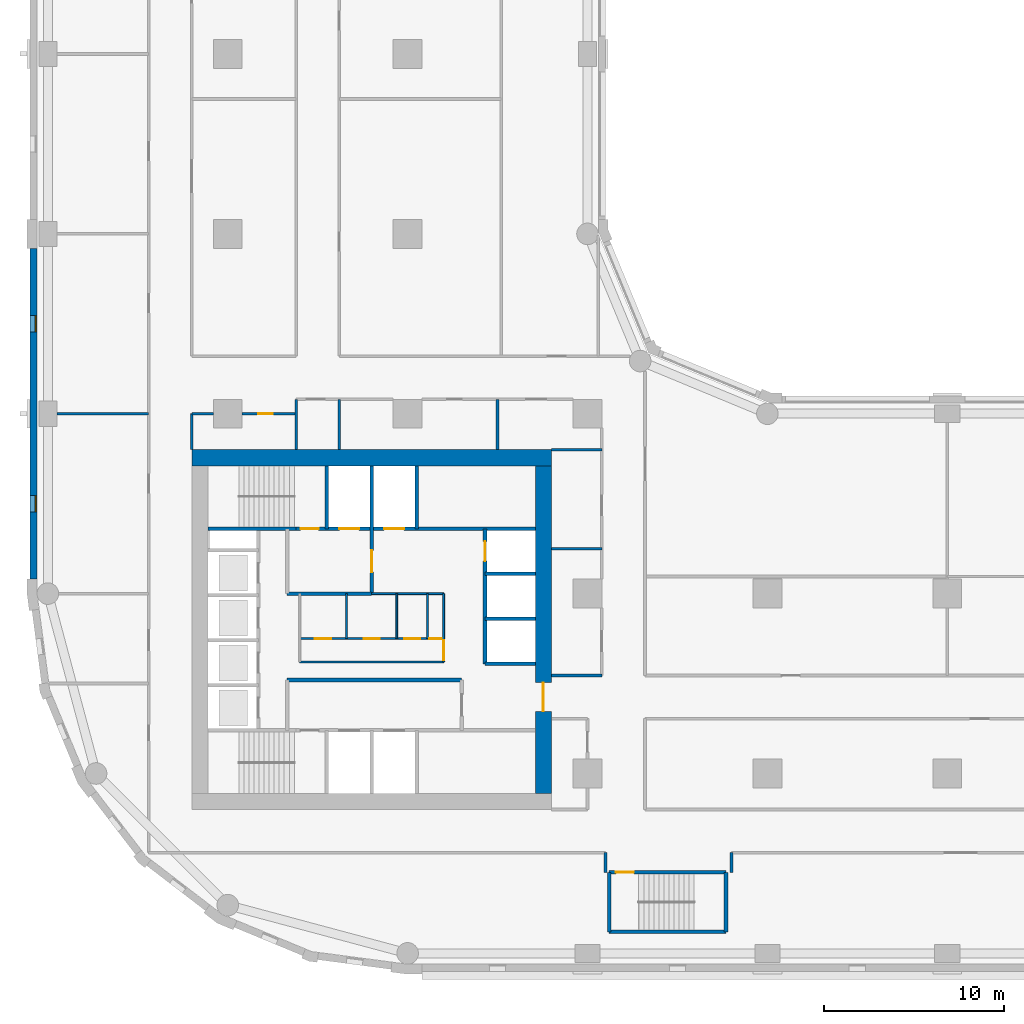
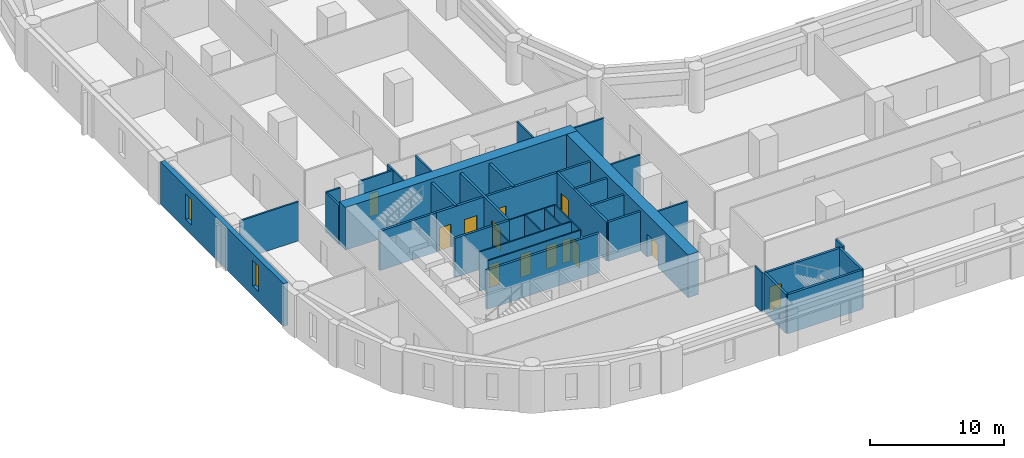
# One storey, part 3 of 10: 37 walls, 13 doors, 2 windows, 15 openings.
"""IFC4 building model written with IfcOpenShell, lengths in metres."""

from ifc_helpers import new_model, si_unit, direction, frame, frame_2d, origin, place, context, subcontext, project, spatial, rectangle, extrude, material, layer, layer_set, type_object, element, fill, save


model = new_model("IFC4")

# Units and contexts
model_context = context("Model", 3, precision=1e-05, world=origin(), true_north=direction((0.0, 1.0)))
body_context = subcontext(model_context, "Body", "Model", "MODEL_VIEW")
ifc_project = project(units=[si_unit("LENGTHUNIT", "METRE"), si_unit("AREAUNIT", "SQUARE_METRE"), si_unit("VOLUMEUNIT", "CUBIC_METRE"), si_unit("PLANEANGLEUNIT", "RADIAN"), si_unit("MASSUNIT", "GRAM", prefix="KILO")], contexts=[model_context])

# Site, building, storey
site_placement = place(None, origin())
site = spatial("IfcSite", under=ifc_project, at=site_placement, CompositionType="ELEMENT")
building_placement = place(site_placement, origin())
building = spatial("IfcBuilding", under=site, at=building_placement, Name="Qaws Garden Tower", CompositionType="ELEMENT")
storey_placement = place(building_placement, frame((0.0, 0.0, 19.800048828125)))
storey = spatial("IfcBuildingStorey", under=building, at=storey_placement, Name="L04", CompositionType="ELEMENT", Elevation=19.800048828125)

# Wall, openings, windows
ifc_material_1 = material(Name="Clay facing brick masonry", Category="masonry")
ifc_layer_1 = layer(ifc_material_1, 0.39990234375)
ifc_layer_set_1 = layer_set([ifc_layer_1], Name="Clay facing brick masonry")
wall_type_1 = type_object("IfcWallType", Name="Brick infill wall 400", PredefinedType="SOLIDWALL", material=ifc_layer_set_1)
wall_1_placement = place(storey_placement, frame((-0.800048828125, 39.199951171875, 0.0), z_axis=(0.0, 0.0, 1.0), x_axis=(0.0, -1.0, 0.0)))
wall_1 = element("IfcWall", 1, at=wall_1_placement, inside=storey, type_object=wall_type_1, Name="E-L04-infill-25", PredefinedType="SOLIDWALL", context=body_context, shape_type="SweptSolid", body=[
    extrude(rectangle(XDim=18.39990234375, YDim=0.39990234375, at=frame_2d((9.199951171875, 0.0))), origin(), (0.0, 0.0, 1.0), 3.89990234375),
])
opening_1_placement = place(wall_1_placement, frame((3.75, 0.0, 0.89990234375)))
opening_1 = element("IfcOpeningElement", 2, at=opening_1_placement, cuts=wall_1, Name="Opening W09", PredefinedType="OPENING", context=body_context, shape_type="SweptSolid", body=[
    extrude(rectangle(XDim=0.89990234375, YDim=2.35009765625, at=frame_2d((0.449951171875, 1.175048828125))), frame((0.0, 0.2099609375, 0.0), z_axis=(0.0, -1.0, 0.0), x_axis=(1.0, 0.0, 0.0)), (0.0, 0.0, 1.0), 0.419921875),
])
opening_2_placement = place(wall_1_placement, frame((13.75, 0.0, 0.89990234375)))
opening_2 = element("IfcOpeningElement", 3, at=opening_2_placement, cuts=wall_1, Name="Opening W09", PredefinedType="OPENING", context=body_context, shape_type="SweptSolid", body=[
    extrude(rectangle(XDim=0.89990234375, YDim=2.35009765625, at=frame_2d((0.449951171875, 1.175048828125))), frame((0.0, 0.2099609375, 0.0), z_axis=(0.0, -1.0, 0.0), x_axis=(1.0, 0.0, 0.0)), (0.0, 0.0, 1.0), 0.419921875),
])
ifc_material_2 = material(Name="Aluminium framed window, clear glazing", Category="aluminium")
window_type = type_object("IfcWindowType", Name="Slit window 900 x 2350", PartitioningType="SINGLE_PANEL", PredefinedType="WINDOW", material=ifc_material_2)
window_1_placement = place(opening_1_placement, origin())
window_1 = element("IfcWindow", 4, at=window_1_placement, inside=storey, type_object=window_type, Name="E-L04-window-25-0", OverallHeight=2.35009765625, OverallWidth=0.89990234375, PartitioningType="SINGLE_PANEL", PredefinedType="WINDOW", context=body_context, shape_type="SweptSolid", body=[
    extrude(rectangle(XDim=0.89990234375, YDim=2.35009765625, at=frame_2d((0.449951171875, 1.175048828125))), frame((0.0, 0.159912109375, 0.0), z_axis=(0.0, -1.0, 0.0), x_axis=(1.0, 0.0, 0.0)), (0.0, 0.0, 1.0), 0.06005859375),
])
fill(opening_1, window_1)
window_2_placement = place(opening_2_placement, origin())
window_2 = element("IfcWindow", 5, at=window_2_placement, inside=storey, type_object=window_type, Name="E-L04-window-26-0", OverallHeight=2.35009765625, OverallWidth=0.89990234375, PartitioningType="SINGLE_PANEL", PredefinedType="WINDOW", context=body_context, shape_type="SweptSolid", body=[
    extrude(rectangle(XDim=0.89990234375, YDim=2.35009765625, at=frame_2d((0.449951171875, 1.175048828125))), frame((0.0, 0.159912109375, 0.0), z_axis=(0.0, -1.0, 0.0), x_axis=(1.0, 0.0, 0.0)), (0.0, 0.0, 1.0), 0.06005859375),
])
fill(opening_2, window_2)

# Wall
ifc_material_3 = material(Name="Plasterboard")
ifc_layer_2 = layer(ifc_material_3, 0.10009765625)
ifc_layer_set_2 = layer_set([ifc_layer_2], Name="Plasterboard")
wall_type_2 = type_object("IfcWallType", Name="Core partition 100", PredefinedType="PARTITIONING", material=ifc_layer_set_2)
wall_2_placement = place(storey_placement, frame((14.0, 16.199951171875, 0.0), z_axis=(0.0, 0.0, 1.0), x_axis=(1.0, 0.0, 0.0)))
element("IfcWall", 6, at=wall_2_placement, inside=storey, type_object=wall_type_2, Name="Core partition", PredefinedType="PARTITIONING", context=body_context, shape_type="SweptSolid", body=[
    extrude(rectangle(XDim=8.0, YDim=0.10009765625, at=frame_2d((4.0, 0.0))), origin(), (0.0, 0.0, 1.0), 3.579833984375),
])

# Wall, openings, doors
wall_3_placement = place(storey_placement, frame((14.0, 17.5, 0.0), z_axis=(0.0, 0.0, 1.0), x_axis=(1.0, 0.0, 0.0)))
wall_3 = element("IfcWall", 7, at=wall_3_placement, inside=storey, type_object=wall_type_2, Name="Core partition", PredefinedType="PARTITIONING", context=body_context, shape_type="SweptSolid", body=[
    extrude(rectangle(XDim=8.0, YDim=0.10009765625, at=frame_2d((4.0, 0.0))), origin(), (0.0, 0.0, 1.0), 3.579833984375),
])
opening_3_placement = place(wall_3_placement, frame((0.85009765625, 0.0, 0.0)))
opening_3 = element("IfcOpeningElement", 8, at=opening_3_placement, cuts=wall_3, Name="Opening WD18", PredefinedType="OPENING", context=body_context, shape_type="SweptSolid", body=[
    extrude(rectangle(XDim=0.89990234375, YDim=2.10009765625, at=frame_2d((0.449951171875, 1.050048828125))), frame((0.0, 0.06005859375, 0.0), z_axis=(0.0, -1.0, 0.0), x_axis=(1.0, 0.0, 0.0)), (0.0, 0.0, 1.0), 0.1201171875),
])
opening_4_placement = place(wall_3_placement, frame((3.550048828125, 0.0, 0.0)))
opening_4 = element("IfcOpeningElement", 9, at=opening_4_placement, cuts=wall_3, Name="Opening WD19", PredefinedType="OPENING", context=body_context, shape_type="SweptSolid", body=[
    extrude(rectangle(XDim=0.89990234375, YDim=2.10009765625, at=frame_2d((0.449951171875, 1.050048828125))), frame((0.0, 0.06005859375, 0.0), z_axis=(0.0, -1.0, 0.0), x_axis=(1.0, 0.0, 0.0)), (0.0, 0.0, 1.0), 0.1201171875),
])
opening_5_placement = place(wall_3_placement, frame((5.800048828125, 0.0, 0.0)))
opening_5 = element("IfcOpeningElement", 10, at=opening_5_placement, cuts=wall_3, Name="Opening WD20", PredefinedType="OPENING", context=body_context, shape_type="SweptSolid", body=[
    extrude(rectangle(XDim=0.89990234375, YDim=2.10009765625, at=frame_2d((0.449951171875, 1.050048828125))), frame((0.0, 0.06005859375, 0.0), z_axis=(0.0, -1.0, 0.0), x_axis=(1.0, 0.0, 0.0)), (0.0, 0.0, 1.0), 0.1201171875),
])
opening_6_placement = place(wall_3_placement, frame((7.199951171875, 0.0, 0.0)))
opening_6 = element("IfcOpeningElement", 11, at=opening_6_placement, cuts=wall_3, Name="Opening XD21", PredefinedType="OPENING", context=body_context, shape_type="SweptSolid", body=[
    extrude(rectangle(XDim=0.699951171875, YDim=2.10009765625, at=frame_2d((0.35009765625, 1.050048828125))), frame((0.0, 0.06005859375, 0.0), z_axis=(0.0, -1.0, 0.0), x_axis=(1.0, 0.0, 0.0)), (0.0, 0.0, 1.0), 0.1201171875),
])
ifc_material_4 = material(Name="Timber", Category="wood")
door_type_1 = type_object("IfcDoorType", Name="Store door 700x2100", OperationType="SINGLE_SWING_LEFT", PredefinedType="DOOR", material=ifc_material_4)
door_1_placement = place(opening_6_placement, origin())
door_1 = element("IfcDoor", 12, at=door_1_placement, inside=storey, type_object=door_type_1, Name="Cleaner's store door", OperationType="SINGLE_SWING_RIGHT", OverallHeight=2.10009765625, OverallWidth=0.699951171875, PredefinedType="DOOR", context=body_context, shape_type="SweptSolid", body=[
    extrude(rectangle(XDim=0.699951171875, YDim=2.10009765625, at=frame_2d((0.35009765625, 1.050048828125))), frame((0.0, 0.02490234375, 0.0), z_axis=(0.0, -1.0, 0.0), x_axis=(1.0, 0.0, 0.0)), (0.0, 0.0, 1.0), 0.050048828125),
])
fill(opening_6, door_1)
ifc_material_5 = material(Name="Timber", Category="wood")
door_type_2 = type_object("IfcDoorType", Name="WC door 900x2100", OperationType="SINGLE_SWING_LEFT", PredefinedType="DOOR", material=ifc_material_5)
door_2_placement = place(opening_3_placement, origin())
door_2 = element("IfcDoor", 13, at=door_2_placement, inside=storey, type_object=door_type_2, Name="Men's WC door", OperationType="SINGLE_SWING_RIGHT", OverallHeight=2.10009765625, OverallWidth=0.89990234375, PredefinedType="DOOR", context=body_context, shape_type="SweptSolid", body=[
    extrude(rectangle(XDim=0.89990234375, YDim=2.10009765625, at=frame_2d((0.449951171875, 1.050048828125))), frame((0.0, 0.02490234375, 0.0), z_axis=(0.0, -1.0, 0.0), x_axis=(1.0, 0.0, 0.0)), (0.0, 0.0, 1.0), 0.050048828125),
])
fill(opening_3, door_2)
door_3_placement = place(opening_4_placement, origin())
door_3 = element("IfcDoor", 14, at=door_3_placement, inside=storey, type_object=door_type_2, Name="Women's WC door", OperationType="SINGLE_SWING_RIGHT", OverallHeight=2.10009765625, OverallWidth=0.89990234375, PredefinedType="DOOR", context=body_context, shape_type="SweptSolid", body=[
    extrude(rectangle(XDim=0.89990234375, YDim=2.10009765625, at=frame_2d((0.449951171875, 1.050048828125))), frame((0.0, 0.02490234375, 0.0), z_axis=(0.0, -1.0, 0.0), x_axis=(1.0, 0.0, 0.0)), (0.0, 0.0, 1.0), 0.050048828125),
])
fill(opening_4, door_3)
door_4_placement = place(opening_5_placement, origin())
door_4 = element("IfcDoor", 15, at=door_4_placement, inside=storey, type_object=door_type_2, Name="Accessible WC door", OperationType="SINGLE_SWING_RIGHT", OverallHeight=2.10009765625, OverallWidth=0.89990234375, PredefinedType="DOOR", context=body_context, shape_type="SweptSolid", body=[
    extrude(rectangle(XDim=0.89990234375, YDim=2.10009765625, at=frame_2d((0.449951171875, 1.050048828125))), frame((0.0, 0.02490234375, 0.0), z_axis=(0.0, -1.0, 0.0), x_axis=(1.0, 0.0, 0.0)), (0.0, 0.0, 1.0), 0.050048828125),
])
fill(opening_5, door_4)

# Walls
wall_4_placement = place(storey_placement, frame((18.0, 20.0, 0.0), z_axis=(0.0, 0.0, 1.0), x_axis=(1.0, 0.0, 0.0)))
element("IfcWall", 16, at=wall_4_placement, inside=storey, type_object=wall_type_2, Name="Core partition", PredefinedType="PARTITIONING", context=body_context, shape_type="SweptSolid", body=[
    extrude(rectangle(XDim=4.0, YDim=0.10009765625, at=frame_2d((2.0, 0.0))), origin(), (0.0, 0.0, 1.0), 3.579833984375),
])
for number, where, z_axis, x_axis, name in (
    (17, (16.60009765625, 17.5, 0.0), (0.0, 0.0, 1.0), (0.0, 1.0, 0.0), "Core partition"),
    (18, (19.39990234375, 17.5, 0.0), (0.0, 0.0, 1.0), (0.0, 1.0, 0.0), "Core partition"),
    (19, (21.10009765625, 17.5, 0.0), (0.0, 0.0, 1.0), (0.0, 1.0, 0.0), "Core partition"),
):
    element("IfcWall", number, at=place(storey_placement, frame(where, z_axis=z_axis, x_axis=x_axis)), inside=storey, type_object=wall_type_2, Name=name, PredefinedType="PARTITIONING", context=body_context, shape_type="SweptSolid", body=[
        extrude(rectangle(XDim=2.5, YDim=0.10009765625, at=frame_2d((1.25, 0.0))), origin(), (0.0, 0.0, 1.0), 3.579833984375),
    ])

# Wall, opening, door
wall_5_placement = place(storey_placement, frame((22.0, 16.199951171875, 0.0), z_axis=(0.0, 0.0, 1.0), x_axis=(0.0, 1.0, 0.0)))
wall_5 = element("IfcWall", 20, at=wall_5_placement, inside=storey, type_object=wall_type_2, Name="Core partition", PredefinedType="PARTITIONING", context=body_context, shape_type="SweptSolid", body=[
    extrude(rectangle(XDim=3.800048828125, YDim=0.10009765625, at=frame_2d((1.89990234375, 0.0))), origin(), (0.0, 0.0, 1.0), 3.579833984375),
])
opening_7_placement = place(wall_5_placement, frame((0.10009765625, 0.0, 0.0)))
opening_7 = element("IfcOpeningElement", 21, at=opening_7_placement, cuts=wall_5, Name="Opening WL17", PredefinedType="OPENING", context=body_context, shape_type="SweptSolid", body=[
    extrude(rectangle(XDim=1.10009765625, YDim=2.10009765625, at=frame_2d((0.550048828125, 1.050048828125))), frame((0.0, 0.06005859375, 0.0), z_axis=(0.0, -1.0, 0.0), x_axis=(1.0, 0.0, 0.0)), (0.0, 0.0, 1.0), 0.1201171875),
])
ifc_material_6 = material(Name="Timber", Category="wood")
door_type_3 = type_object("IfcDoorType", Name="WC lobby door 1100x2100", OperationType="SINGLE_SWING_LEFT", PredefinedType="DOOR", material=ifc_material_6)
door_5_placement = place(opening_7_placement, origin())
door_5 = element("IfcDoor", 22, at=door_5_placement, inside=storey, type_object=door_type_3, Name="WC lobby door", OperationType="SINGLE_SWING_RIGHT", OverallHeight=2.10009765625, OverallWidth=1.10009765625, PredefinedType="DOOR", context=body_context, shape_type="SweptSolid", body=[
    extrude(rectangle(XDim=1.10009765625, YDim=2.10009765625, at=frame_2d((0.550048828125, 1.050048828125))), frame((0.0, 0.02490234375, 0.0), z_axis=(0.0, -1.0, 0.0), x_axis=(1.0, 0.0, 0.0)), (0.0, 0.0, 1.0), 0.050048828125),
])
fill(opening_7, door_5)

# Wall
ifc_material_7 = material(Name="Concrete C80", Category="concrete")
ifc_layer_3 = layer(ifc_material_7, 0.199951171875)
ifc_layer_set_3 = layer_set([ifc_layer_3], Name="Concrete C80")
wall_type_3 = type_object("IfcWallType", Name="Core shaft wall 200 C80", PredefinedType="SHEAR", material=ifc_layer_set_3)
wall_6_placement = place(storey_placement, frame((31.199951171875, 1.199951171875, 0.0), z_axis=(0.0, 0.0, 1.0), x_axis=(1.0, 0.0, 0.0)))
element("IfcWall", 23, at=wall_6_placement, inside=storey, type_object=wall_type_3, Name="Shaft wall", PredefinedType="SHEAR", context=body_context, shape_type="SweptSolid", body=[
    extrude(rectangle(XDim=6.5, YDim=0.199951171875, at=frame_2d((3.25, 0.0))), origin(), (0.0, 0.0, 1.0), 3.579833984375),
])

# Wall, opening, door
wall_7_placement = place(storey_placement, frame((31.199951171875, 4.5, 0.0), z_axis=(0.0, 0.0, 1.0), x_axis=(1.0, 0.0, 0.0)))
wall_7 = element("IfcWall", 24, at=wall_7_placement, inside=storey, type_object=wall_type_3, Name="Shaft wall", PredefinedType="SHEAR", context=body_context, shape_type="SweptSolid", body=[
    extrude(rectangle(XDim=6.5, YDim=0.199951171875, at=frame_2d((3.25, 0.0))), origin(), (0.0, 0.0, 1.0), 3.579833984375),
])
opening_8_placement = place(wall_7_placement, frame((0.375, 0.0, 0.0)))
opening_8 = element("IfcOpeningElement", 25, at=opening_8_placement, cuts=wall_7, Name="Opening SD12", PredefinedType="OPENING", context=body_context, shape_type="SweptSolid", body=[
    extrude(rectangle(XDim=1.0, YDim=2.10009765625, at=frame_2d((0.5, 1.050048828125))), frame((0.0, 0.10986328125, 0.0), z_axis=(0.0, -1.0, 0.0), x_axis=(1.0, 0.0, 0.0)), (0.0, 0.0, 1.0), 0.219970703125),
])
ifc_material_8 = material(Name="Steel S235", Category="steel")
door_type_4 = type_object("IfcDoorType", Name="Stair door 1000x2100", OperationType="SINGLE_SWING_RIGHT", PredefinedType="DOOR", material=ifc_material_8)
door_6_placement = place(opening_8_placement, frame((1.0, 0.0, 0.0), z_axis=(0.0, 0.0, 1.0), x_axis=(-1.0, 0.0, 0.0)))
door_6 = element("IfcDoor", 26, at=door_6_placement, inside=storey, type_object=door_type_4, Name="Stair 5 door", OperationType="SINGLE_SWING_RIGHT", OverallHeight=2.10009765625, OverallWidth=1.0, PredefinedType="DOOR", context=body_context, shape_type="SweptSolid", body=[
    extrude(rectangle(XDim=1.0, YDim=2.10009765625, at=frame_2d((0.5, 1.050048828125))), frame((0.0, 0.02490234375, 0.0), z_axis=(0.0, -1.0, 0.0), x_axis=(1.0, 0.0, 0.0)), (0.0, 0.0, 1.0), 0.050048828125),
])
fill(opening_8, door_6)

# Walls
wall_8_placement = place(storey_placement, frame((13.300048828125, 15.199951171875, 0.0), z_axis=(0.0, 0.0, 1.0), x_axis=(1.0, 0.0, 0.0)))
element("IfcWall", 27, at=wall_8_placement, inside=storey, type_object=wall_type_3, Name="Shaft wall", PredefinedType="SHEAR", context=body_context, shape_type="SweptSolid", body=[
    extrude(rectangle(XDim=9.699951171875, YDim=0.199951171875, at=frame_2d((4.85009765625, 0.0))), origin(), (0.0, 0.0, 1.0), 3.579833984375),
])
for number, where, z_axis, x_axis, name in (
    (28, (24.300048828125, 16.10009765625, 0.0), (0.0, 0.0, 1.0), (1.0, 0.0, 0.0), "Shaft wall"),
    (29, (24.300048828125, 18.60009765625, 0.0), (0.0, 0.0, 1.0), (1.0, 0.0, 0.0), "Shaft wall"),
):
    element("IfcWall", number, at=place(storey_placement, frame(where, z_axis=z_axis, x_axis=x_axis)), inside=storey, type_object=wall_type_3, Name=name, PredefinedType="SHEAR", context=body_context, shape_type="SweptSolid", body=[
        extrude(rectangle(XDim=2.800048828125, YDim=0.199951171875, at=frame_2d((1.39990234375, 0.0))), origin(), (0.0, 0.0, 1.0), 3.579833984375),
    ])
wall_9_placement = place(storey_placement, frame((13.300048828125, 20.0, 0.0), z_axis=(0.0, 0.0, 1.0), x_axis=(1.0, 0.0, 0.0)))
element("IfcWall", 30, at=wall_9_placement, inside=storey, type_object=wall_type_3, Name="Shaft wall", PredefinedType="SHEAR", context=body_context, shape_type="SweptSolid", body=[
    extrude(rectangle(XDim=4.699951171875, YDim=0.199951171875, at=frame_2d((2.35009765625, 0.0))), origin(), (0.0, 0.0, 1.0), 3.579833984375),
])
wall_10_placement = place(storey_placement, frame((24.300048828125, 21.10009765625, 0.0), z_axis=(0.0, 0.0, 1.0), x_axis=(1.0, 0.0, 0.0)))
element("IfcWall", 31, at=wall_10_placement, inside=storey, type_object=wall_type_3, Name="Shaft wall", PredefinedType="SHEAR", context=body_context, shape_type="SweptSolid", body=[
    extrude(rectangle(XDim=2.800048828125, YDim=0.199951171875, at=frame_2d((1.39990234375, 0.0))), origin(), (0.0, 0.0, 1.0), 3.579833984375),
])
wall_11_placement = place(storey_placement, frame((8.89990234375, 23.60009765625, 0.0), z_axis=(0.0, 0.0, 1.0), x_axis=(1.0, 0.0, 0.0)))
element("IfcWall", 32, at=wall_11_placement, inside=storey, type_object=wall_type_3, Name="Shaft wall", PredefinedType="SHEAR", context=body_context, shape_type="SweptSolid", body=[
    extrude(rectangle(XDim=4.900146484375, YDim=0.199951171875, at=frame_2d((2.4501953125, 0.0))), origin(), (0.0, 0.0, 1.0), 3.579833984375),
])

# Wall, openings, doors
wall_12_placement = place(storey_placement, frame((13.800048828125, 23.60009765625, 0.0), z_axis=(0.0, 0.0, 1.0), x_axis=(1.0, 0.0, 0.0)))
wall_12 = element("IfcWall", 33, at=wall_12_placement, inside=storey, type_object=wall_type_3, Name="Shaft wall", PredefinedType="SHEAR", context=body_context, shape_type="SweptSolid", body=[
    extrude(rectangle(XDim=13.300048828125, YDim=0.199951171875, at=frame_2d((6.64990234375, 0.0))), origin(), (0.0, 0.0, 1.0), 3.579833984375),
])
opening_9_placement = place(wall_12_placement, frame((2.39990234375, 0.0, 0.0)))
opening_9 = element("IfcOpeningElement", 34, at=opening_9_placement, cuts=wall_12, Name="Opening LD08", PredefinedType="OPENING", context=body_context, shape_type="SweptSolid", body=[
    extrude(rectangle(XDim=1.10009765625, YDim=2.10009765625, at=frame_2d((0.550048828125, 1.050048828125))), frame((0.0, 0.10986328125, 0.0), z_axis=(0.0, -1.0, 0.0), x_axis=(1.0, 0.0, 0.0)), (0.0, 0.0, 1.0), 0.219970703125),
])
opening_10_placement = place(wall_12_placement, frame((4.89990234375, 0.0, 0.0)))
opening_10 = element("IfcOpeningElement", 35, at=opening_10_placement, cuts=wall_12, Name="Opening LD09", PredefinedType="OPENING", context=body_context, shape_type="SweptSolid", body=[
    extrude(rectangle(XDim=1.10009765625, YDim=2.10009765625, at=frame_2d((0.550048828125, 1.050048828125))), frame((0.0, 0.10986328125, 0.0), z_axis=(0.0, -1.0, 0.0), x_axis=(1.0, 0.0, 0.0)), (0.0, 0.0, 1.0), 0.219970703125),
])
opening_11_placement = place(wall_12_placement, frame((0.25, 0.0, 0.0)))
opening_11 = element("IfcOpeningElement", 36, at=opening_11_placement, cuts=wall_12, Name="Opening SD11", PredefinedType="OPENING", context=body_context, shape_type="SweptSolid", body=[
    extrude(rectangle(XDim=1.0, YDim=2.10009765625, at=frame_2d((0.5, 1.050048828125))), frame((0.0, 0.10986328125, 0.0), z_axis=(0.0, -1.0, 0.0), x_axis=(1.0, 0.0, 0.0)), (0.0, 0.0, 1.0), 0.219970703125),
])
ifc_material_9 = material(Name="Steel S235", Category="steel")
door_type_5 = type_object("IfcDoorType", Name="Landing door 1100x2100", OperationType="DOUBLE_DOOR_SLIDING", PredefinedType="DOOR", material=ifc_material_9)
door_7_placement = place(opening_9_placement, origin())
door_7 = element("IfcDoor", 37, at=door_7_placement, inside=storey, type_object=door_type_5, Name="Lift FF3 landing door", OperationType="DOUBLE_DOOR_SLIDING", OverallHeight=2.10009765625, OverallWidth=1.10009765625, PredefinedType="DOOR", context=body_context, shape_type="SweptSolid", body=[
    extrude(rectangle(XDim=1.10009765625, YDim=2.10009765625, at=frame_2d((0.550048828125, 1.050048828125))), frame((0.0, 0.02490234375, 0.0), z_axis=(0.0, -1.0, 0.0), x_axis=(1.0, 0.0, 0.0)), (0.0, 0.0, 1.0), 0.050048828125),
])
fill(opening_9, door_7)
door_8_placement = place(opening_10_placement, origin())
door_8 = element("IfcDoor", 38, at=door_8_placement, inside=storey, type_object=door_type_5, Name="Lift SV2 landing door", OperationType="DOUBLE_DOOR_SLIDING", OverallHeight=2.10009765625, OverallWidth=1.10009765625, PredefinedType="DOOR", context=body_context, shape_type="SweptSolid", body=[
    extrude(rectangle(XDim=1.10009765625, YDim=2.10009765625, at=frame_2d((0.550048828125, 1.050048828125))), frame((0.0, 0.02490234375, 0.0), z_axis=(0.0, -1.0, 0.0), x_axis=(1.0, 0.0, 0.0)), (0.0, 0.0, 1.0), 0.050048828125),
])
fill(opening_10, door_8)
door_9_placement = place(opening_11_placement, origin())
door_9 = element("IfcDoor", 39, at=door_9_placement, inside=storey, type_object=door_type_4, Name="Stair 4 door", OperationType="SINGLE_SWING_RIGHT", OverallHeight=2.10009765625, OverallWidth=1.0, PredefinedType="DOOR", context=body_context, shape_type="SweptSolid", body=[
    extrude(rectangle(XDim=1.0, YDim=2.10009765625, at=frame_2d((0.5, 1.050048828125))), frame((0.0, 0.02490234375, 0.0), z_axis=(0.0, -1.0, 0.0), x_axis=(1.0, 0.0, 0.0)), (0.0, 0.0, 1.0), 0.050048828125),
])
fill(opening_11, door_9)

# Wall
wall_13_placement = place(storey_placement, frame((15.5, 23.60009765625, 0.0), z_axis=(0.0, 0.0, 1.0), x_axis=(0.0, 1.0, 0.0)))
element("IfcWall", 40, at=wall_13_placement, inside=storey, type_object=wall_type_3, Name="Shaft wall", PredefinedType="SHEAR", context=body_context, shape_type="SweptSolid", body=[
    extrude(rectangle(XDim=3.5, YDim=0.199951171875, at=frame_2d((1.75, 0.0))), origin(), (0.0, 0.0, 1.0), 3.579833984375),
])

# Wall, opening, door
wall_14_placement = place(storey_placement, frame((18.0, 20.0, 0.0), z_axis=(0.0, 0.0, 1.0), x_axis=(0.0, 1.0, 0.0)))
wall_14 = element("IfcWall", 41, at=wall_14_placement, inside=storey, type_object=wall_type_3, Name="Shaft wall", PredefinedType="SHEAR", context=body_context, shape_type="SweptSolid", body=[
    extrude(rectangle(XDim=7.10009765625, YDim=0.199951171875, at=frame_2d((3.550048828125, 0.0))), origin(), (0.0, 0.0, 1.0), 3.579833984375),
])
opening_12_placement = place(wall_14_placement, frame((1.199951171875, 0.0, 0.0)))
opening_12 = element("IfcOpeningElement", 42, at=opening_12_placement, cuts=wall_14, Name="Opening FD16", PredefinedType="OPENING", context=body_context, shape_type="SweptSolid", body=[
    extrude(rectangle(XDim=1.199951171875, YDim=2.10009765625, at=frame_2d((0.60009765625, 1.050048828125))), frame((0.0, 0.10986328125, 0.0), z_axis=(0.0, -1.0, 0.0), x_axis=(1.0, 0.0, 0.0)), (0.0, 0.0, 1.0), 0.219970703125),
])
ifc_material_10 = material(Name="Steel S235", Category="steel")
door_type_6 = type_object("IfcDoorType", Name="Lobby door 1200x2100", OperationType="DOUBLE_DOOR_SINGLE_SWING", PredefinedType="DOOR", material=ifc_material_10)
door_10_placement = place(opening_12_placement, origin())
door_10 = element("IfcDoor", 43, at=door_10_placement, inside=storey, type_object=door_type_6, Name="Fire-fighting lobby door", OperationType="DOUBLE_DOOR_SINGLE_SWING", OverallHeight=2.10009765625, OverallWidth=1.199951171875, PredefinedType="DOOR", context=body_context, shape_type="SweptSolid", body=[
    extrude(rectangle(XDim=1.199951171875, YDim=2.10009765625, at=frame_2d((0.60009765625, 1.050048828125))), frame((0.0, 0.02490234375, 0.0), z_axis=(0.0, -1.0, 0.0), x_axis=(1.0, 0.0, 0.0)), (0.0, 0.0, 1.0), 0.050048828125),
])
fill(opening_12, door_10)

# Wall
wall_15_placement = place(storey_placement, frame((20.5, 23.60009765625, 0.0), z_axis=(0.0, 0.0, 1.0), x_axis=(0.0, 1.0, 0.0)))
element("IfcWall", 44, at=wall_15_placement, inside=storey, type_object=wall_type_3, Name="Shaft wall", PredefinedType="SHEAR", context=body_context, shape_type="SweptSolid", body=[
    extrude(rectangle(XDim=3.5, YDim=0.199951171875, at=frame_2d((1.75, 0.0))), origin(), (0.0, 0.0, 1.0), 3.579833984375),
])

# Wall, opening, door
wall_16_placement = place(storey_placement, frame((24.300048828125, 16.10009765625, 0.0), z_axis=(0.0, 0.0, 1.0), x_axis=(0.0, 1.0, 0.0)))
wall_16 = element("IfcWall", 45, at=wall_16_placement, inside=storey, type_object=wall_type_3, Name="Shaft wall", PredefinedType="SHEAR", context=body_context, shape_type="SweptSolid", body=[
    extrude(rectangle(XDim=7.5, YDim=0.199951171875, at=frame_2d((3.75, 0.0))), origin(), (0.0, 0.0, 1.0), 3.579833984375),
])
opening_13_placement = place(wall_16_placement, frame((5.699951171875, 0.0, 0.0)))
opening_13 = element("IfcOpeningElement", 46, at=opening_13_placement, cuts=wall_16, Name="Opening LD05", PredefinedType="OPENING", context=body_context, shape_type="SweptSolid", body=[
    extrude(rectangle(XDim=1.10009765625, YDim=2.10009765625, at=frame_2d((0.550048828125, 1.050048828125))), frame((0.0, 0.10986328125, 0.0), z_axis=(0.0, -1.0, 0.0), x_axis=(1.0, 0.0, 0.0)), (0.0, 0.0, 1.0), 0.219970703125),
])
door_11_placement = place(opening_13_placement, origin())
door_11 = element("IfcDoor", 47, at=door_11_placement, inside=storey, type_object=door_type_5, Name="Lift E3 landing door", OperationType="DOUBLE_DOOR_SLIDING", OverallHeight=2.10009765625, OverallWidth=1.10009765625, PredefinedType="DOOR", context=body_context, shape_type="SweptSolid", body=[
    extrude(rectangle(XDim=1.10009765625, YDim=2.10009765625, at=frame_2d((0.550048828125, 1.050048828125))), frame((0.0, 0.02490234375, 0.0), z_axis=(0.0, -1.0, 0.0), x_axis=(1.0, 0.0, 0.0)), (0.0, 0.0, 1.0), 0.050048828125),
])
fill(opening_13, door_11)

# Walls
for number, where, z_axis, x_axis, name in (
    (48, (31.199951171875, 1.199951171875, 0.0), (0.0, 0.0, 1.0), (0.0, 1.0, 0.0), "Shaft wall"),
    (49, (37.699951171875, 1.199951171875, 0.0), (0.0, 0.0, 1.0), (0.0, 1.0, 0.0), "Shaft wall"),
):
    element("IfcWall", number, at=place(storey_placement, frame(where, z_axis=z_axis, x_axis=x_axis)), inside=storey, type_object=wall_type_3, Name=name, PredefinedType="SHEAR", context=body_context, shape_type="SweptSolid", body=[
        extrude(rectangle(XDim=3.300048828125, YDim=0.199951171875, at=frame_2d((1.64990234375, 0.0))), origin(), (0.0, 0.0, 1.0), 3.579833984375),
    ])

# Wall, opening, door
ifc_material_11 = material(Name="Concrete C80", Category="concrete")
ifc_layer_4 = layer(ifc_material_11, 0.89990234375)
ifc_layer_set_4 = layer_set([ifc_layer_4], Name="Concrete C80")
wall_type_4 = type_object("IfcWallType", Name="Core wall 900 C80", PredefinedType="SHEAR", material=ifc_layer_set_4)
wall_17_placement = place(storey_placement, frame((27.550048828125, 8.89990234375, 0.0), z_axis=(0.0, 0.0, 1.0), x_axis=(0.0, 1.0, 0.0)))
wall_17 = element("IfcWall", 50, at=wall_17_placement, inside=storey, type_object=wall_type_4, Name="Core wall L04 east", PredefinedType="SHEAR", context=body_context, shape_type="SweptSolid", body=[
    extrude(rectangle(XDim=18.2001953125, YDim=0.89990234375, at=frame_2d((9.10009765625, 0.0))), origin(), (0.0, 0.0, 1.0), 3.89990234375),
])
opening_14_placement = place(wall_17_placement, frame((4.550048828125, 0.0, 0.0)))
opening_14 = element("IfcOpeningElement", 51, at=opening_14_placement, cuts=wall_17, Name="Opening ED22", PredefinedType="OPENING", context=body_context, shape_type="SweptSolid", body=[
    extrude(rectangle(XDim=1.60009765625, YDim=2.10009765625, at=frame_2d((0.800048828125, 1.050048828125))), frame((0.0, 0.4599609375, 0.0), z_axis=(0.0, -1.0, 0.0), x_axis=(1.0, 0.0, 0.0)), (0.0, 0.0, 1.0), 0.919921875),
])
ifc_material_12 = material(Name="Steel S235", Category="steel")
door_type_7 = type_object("IfcDoorType", Name="Core entrance door 1600x2100", OperationType="DOUBLE_DOOR_SINGLE_SWING", PredefinedType="DOOR", material=ifc_material_12)
door_12_placement = place(opening_14_placement, origin())
door_12 = element("IfcDoor", 52, at=door_12_placement, inside=storey, type_object=door_type_7, Name="Core entrance door", OperationType="DOUBLE_DOOR_SINGLE_SWING", OverallHeight=2.10009765625, OverallWidth=1.60009765625, PredefinedType="DOOR", context=body_context, shape_type="SweptSolid", body=[
    extrude(rectangle(XDim=1.60009765625, YDim=2.10009765625, at=frame_2d((0.800048828125, 1.050048828125))), frame((0.0, 0.02490234375, 0.0), z_axis=(0.0, -1.0, 0.0), x_axis=(1.0, 0.0, 0.0)), (0.0, 0.0, 1.0), 0.050048828125),
])
fill(opening_14, door_12)

# Walls
wall_18_placement = place(storey_placement, frame((28.0, 27.550048828125, 0.0), z_axis=(0.0, 0.0, 1.0), x_axis=(-1.0, 0.0, 0.0)))
element("IfcWall", 53, at=wall_18_placement, inside=storey, type_object=wall_type_4, Name="Core wall L04 north", PredefinedType="SHEAR", context=body_context, shape_type="SweptSolid", body=[
    extrude(rectangle(XDim=20.0, YDim=0.89990234375, at=frame_2d((10.0, 0.0))), origin(), (0.0, 0.0, 1.0), 3.89990234375),
])
ifc_material_13 = material(Name="Gypsum board partition")
ifc_layer_5 = layer(ifc_material_13, 0.14990234375)
ifc_layer_set_5 = layer_set([ifc_layer_5], Name="Gypsum board partition")
wall_type_5 = type_object("IfcWallType", Name="PARTITION 150 EI 60", PredefinedType="PARTITIONING", material=ifc_layer_set_5)
wall_19_placement = place(storey_placement, frame((8.0, 28.0, 0.0), z_axis=(0.0, 0.0, 1.0), x_axis=(0.0, 1.0, 0.0)))
element("IfcWall", 54, at=wall_19_placement, inside=storey, type_object=wall_type_5, Name="O-L04-wall-003", PredefinedType="PARTITIONING", context=body_context, shape_type="SweptSolid", body=[
    extrude(rectangle(XDim=2.0, YDim=0.14990234375, at=frame_2d((1.0, 0.0))), origin(), (0.0, 0.0, 1.0), 3.579833984375),
])
for number, where, z_axis, x_axis, name in (
    (55, (13.800048828125, 28.0, 0.0), (0.0, 0.0, 1.0), (0.0, 1.0, 0.0), "O-L04-wall-006"),
    (56, (16.199951171875, 28.0, 0.0), (0.0, 0.0, 1.0), (0.0, 1.0, 0.0), "O-L04-wall-008"),
    (57, (25.0, 28.0, 0.0), (0.0, 0.0, 1.0), (0.0, 1.0, 0.0), "O-L04-wall-011"),
):
    element("IfcWall", number, at=place(storey_placement, frame(where, z_axis=z_axis, x_axis=x_axis)), inside=storey, type_object=wall_type_5, Name=name, PredefinedType="PARTITIONING", context=body_context, shape_type="SweptSolid", body=[
        extrude(rectangle(XDim=2.800048828125, YDim=0.14990234375, at=frame_2d((1.39990234375, 0.0))), origin(), (0.0, 0.0, 1.0), 3.579833984375),
    ])
for number, where, z_axis, x_axis, name in (
    (58, (31.0, 4.5, 0.0), (0.0, 0.0, 1.0), (0.0, 1.0, 0.0), "O-L04-wall-019"),
    (59, (38.0, 4.5, 0.0), (0.0, 0.0, 1.0), (0.0, 1.0, 0.0), "O-L04-wall-022"),
):
    element("IfcWall", number, at=place(storey_placement, frame(where, z_axis=z_axis, x_axis=x_axis)), inside=storey, type_object=wall_type_5, Name=name, PredefinedType="PARTITIONING", context=body_context, shape_type="SweptSolid", body=[
        extrude(rectangle(XDim=1.10009765625, YDim=0.14990234375, at=frame_2d((0.550048828125, 0.0))), origin(), (0.0, 0.0, 1.0), 3.579833984375),
    ])
for number, where, z_axis, x_axis, name in (
    (60, (28.0, 15.449951171875, 0.0), (0.0, 0.0, 1.0), (1.0, 0.0, 0.0), "O-L04-wall-035"),
    (61, (28.0, 22.5, 0.0), (0.0, 0.0, 1.0), (1.0, 0.0, 0.0), "O-L04-wall-040"),
    (62, (28.0, 28.0, 0.0), (0.0, 0.0, 1.0), (1.0, 0.0, 0.0), "O-L04-wall-041"),
):
    element("IfcWall", number, at=place(storey_placement, frame(where, z_axis=z_axis, x_axis=x_axis)), inside=storey, type_object=wall_type_5, Name=name, PredefinedType="PARTITIONING", context=body_context, shape_type="SweptSolid", body=[
        extrude(rectangle(XDim=2.800048828125, YDim=0.14990234375, at=frame_2d((1.39990234375, 0.0))), origin(), (0.0, 0.0, 1.0), 3.579833984375),
    ])
wall_20_placement = place(storey_placement, frame((0.5, 30.0, 0.0), z_axis=(0.0, 0.0, 1.0), x_axis=(1.0, 0.0, 0.0)))
element("IfcWall", 63, at=wall_20_placement, inside=storey, type_object=wall_type_5, Name="O-L04-wall-042", PredefinedType="PARTITIONING", context=body_context, shape_type="SweptSolid", body=[
    extrude(rectangle(XDim=5.10009765625, YDim=0.14990234375, at=frame_2d((2.550048828125, 0.0))), origin(), (0.0, 0.0, 1.0), 3.579833984375),
])
wall_21_placement = place(storey_placement, frame((8.0, 30.0, 0.0), z_axis=(0.0, 0.0, 1.0), x_axis=(1.0, 0.0, 0.0)))
element("IfcWall", 64, at=wall_21_placement, inside=storey, type_object=wall_type_5, Name="O-L04-wall-043", PredefinedType="PARTITIONING", context=body_context, shape_type="SweptSolid", body=[
    extrude(rectangle(XDim=1.199951171875, YDim=0.14990234375, at=frame_2d((0.60009765625, 0.0))), origin(), (0.0, 0.0, 1.0), 3.579833984375),
])

# Wall, opening, door
wall_22_placement = place(storey_placement, frame((10.800048828125, 30.0, 0.0), z_axis=(0.0, 0.0, 1.0), x_axis=(1.0, 0.0, 0.0)))
wall_22 = element("IfcWall", 65, at=wall_22_placement, inside=storey, type_object=wall_type_5, Name="O-L04-wall-044", PredefinedType="PARTITIONING", context=body_context, shape_type="SweptSolid", body=[
    extrude(rectangle(XDim=3.0, YDim=0.14990234375, at=frame_2d((1.5, 0.0))), origin(), (0.0, 0.0, 1.0), 3.579833984375),
])
opening_15_placement = place(wall_22_placement, frame((0.89990234375, 0.0, 0.0)))
opening_15 = element("IfcOpeningElement", 66, at=opening_15_placement, cuts=wall_22, Name="Opening A107", PredefinedType="OPENING", context=body_context, shape_type="SweptSolid", body=[
    extrude(rectangle(XDim=0.800048828125, YDim=2.10009765625, at=frame_2d((0.39990234375, 1.050048828125))), frame((0.0, 0.0849609375, 0.0), z_axis=(0.0, -1.0, 0.0), x_axis=(1.0, 0.0, 0.0)), (0.0, 0.0, 1.0), 0.169921875),
])
ifc_material_14 = material(Name="Timber door leaf", Category="wood")
door_type_8 = type_object("IfcDoorType", Name="STORE DOOR 800 X 2100", OperationType="SINGLE_SWING_LEFT", PredefinedType="DOOR", material=ifc_material_14)
door_13_placement = place(opening_15_placement, frame((0.800048828125, 0.0, 0.0), z_axis=(0.0, 0.0, 1.0), x_axis=(-1.0, 0.0, 0.0)))
door_13 = element("IfcDoor", 67, at=door_13_placement, inside=storey, type_object=door_type_8, Name="O-L04-door-007", OperationType="SINGLE_SWING_RIGHT", OverallHeight=2.10009765625, OverallWidth=0.800048828125, PredefinedType="DOOR", context=body_context, shape_type="SweptSolid", body=[
    extrude(rectangle(XDim=0.800048828125, YDim=2.10009765625, at=frame_2d((0.39990234375, 1.050048828125))), frame((0.0, 0.02490234375, 0.0), z_axis=(0.0, -1.0, 0.0), x_axis=(1.0, 0.0, 0.0)), (0.0, 0.0, 1.0), 0.050048828125),
])
fill(opening_15, door_13)

save(model, "model.ifc")
